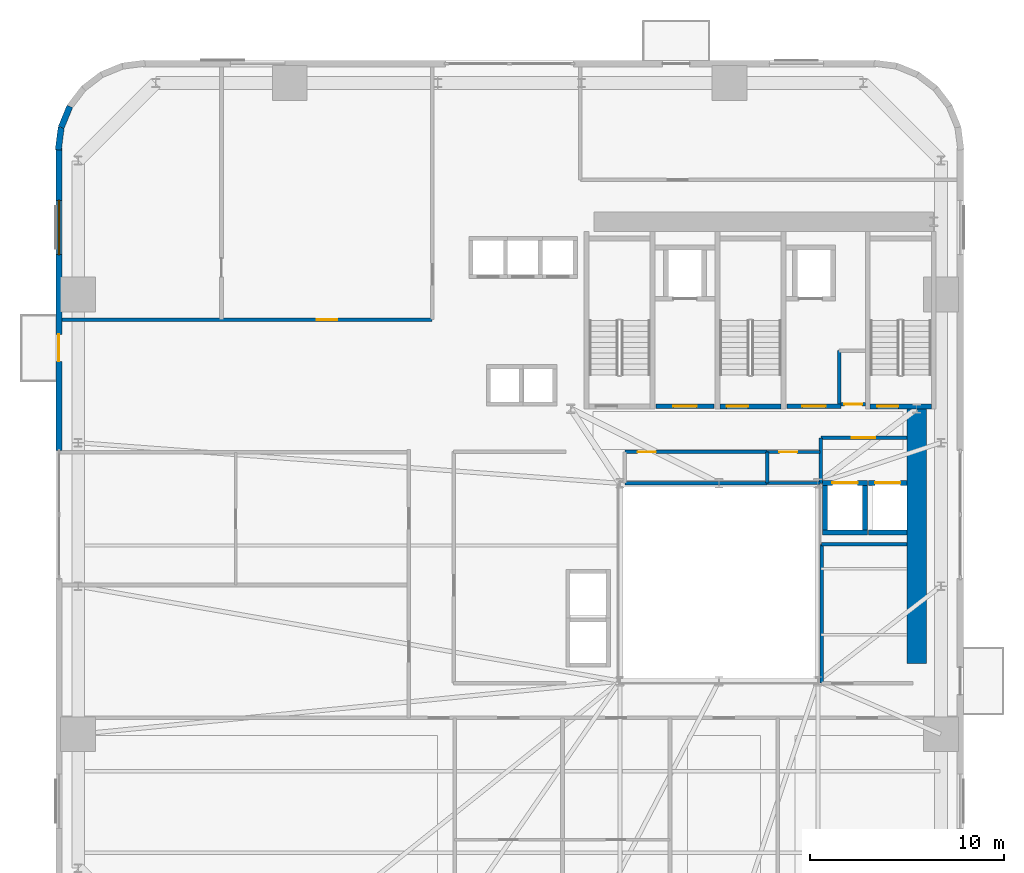
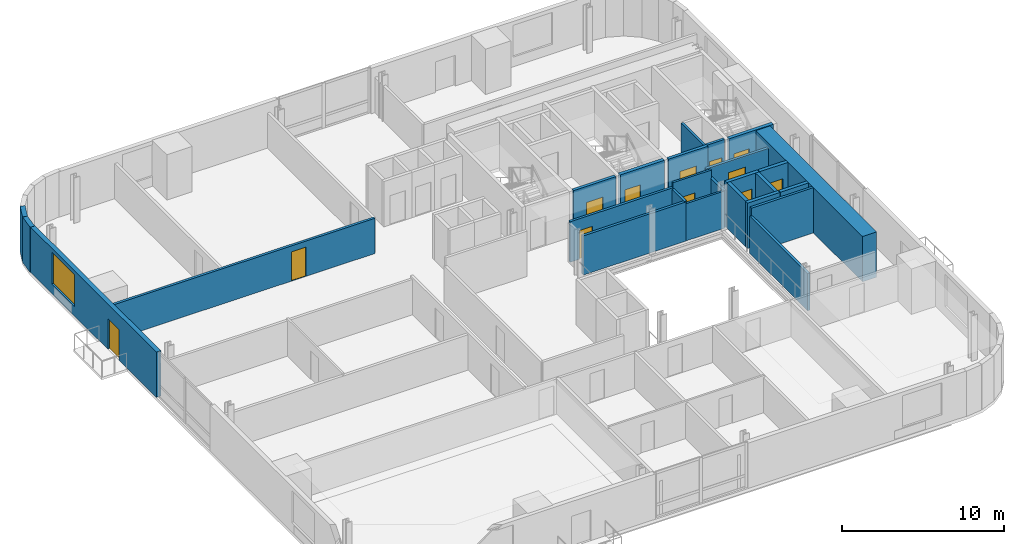
# One storey, part 7 of 13: 26 walls, 12 doors, 1 window, 13 openings.
"""IFC4 building model written with IfcOpenShell, lengths in metres."""

from ifc_helpers import new_model, si_unit, direction, frame, frame_2d, origin, place, context, subcontext, project, spatial, rectangle, extrude, source, transform, mapped, material, layer, layer_set, type_object, element, fill, save


model = new_model("IFC4")

# Units and contexts
model_context = context("Model", 3, precision=1e-05, world=origin(), true_north=direction((0.0, 1.0)))
body_context = subcontext(model_context, "Body", "Model", "MODEL_VIEW")
ifc_project = project(units=[si_unit("LENGTHUNIT", "METRE"), si_unit("AREAUNIT", "SQUARE_METRE"), si_unit("VOLUMEUNIT", "CUBIC_METRE"), si_unit("PLANEANGLEUNIT", "RADIAN"), si_unit("MASSUNIT", "GRAM", prefix="KILO")], contexts=[model_context])

# Site, building, storey
site_placement = place(None, origin())
site = spatial("IfcSite", under=ifc_project, at=site_placement, CompositionType="ELEMENT")
building_placement = place(site_placement, origin())
building = spatial("IfcBuilding", under=site, at=building_placement, Name="Vardaveli Station Tower", CompositionType="ELEMENT")
storey_placement = place(building_placement, frame((0.0, 0.0, 71.39990234375)))
storey = spatial("IfcBuildingStorey", under=building, at=storey_placement, Name="L18", CompositionType="ELEMENT", Elevation=71.39990234375)

# Wall
ifc_material_1 = material(Name="Concrete C60/75", Category="concrete")
ifc_layer_1 = layer(ifc_material_1, 1.0, Name="Concrete C60/75")
ifc_layer_set_1 = layer_set([ifc_layer_1], Name="Concrete C60/75")
wall_type_1 = type_object("IfcWallType", Name="WAL-CORE-1000", PredefinedType="SHEAR", material=ifc_layer_set_1)
shared_shape_1 = source(origin(), body_context, "Body", "SweptSolid", [
    extrude(rectangle(XDim=13.14990234375, YDim=1.0, at=frame_2d((6.574951171875, 0.0))), origin(), (0.0, 0.0, 1.0), 3.41015625),
])
wall_1_placement = place(storey_placement, frame((46.5, 17.5, 0.0), z_axis=(0.0, 0.0, 1.0), x_axis=(0.0, 1.0, 0.0)))
element("IfcWall", 1, at=wall_1_placement, inside=storey, type_object=wall_type_1, Name="SW-L18-EAST2", PredefinedType="SHEAR", context=body_context, shape_type="MappedRepresentation", body=[
    mapped(shared_shape_1, transform((0.0, 0.0, 0.0), scale=1.0)),
])

# Wall, openings, door, window
ifc_material_2 = material(Name="Precast concrete C45/55", Category="concrete")
ifc_layer_2 = layer(ifc_material_2, 0.320068359375, Name="Precast concrete C45/55")
ifc_layer_set_2 = layer_set([ifc_layer_2], Name="Precast concrete C45/55")
wall_type_2 = type_object("IfcWallType", Name="WAL-EXT-STONE-320", PredefinedType="SOLIDWALL", material=ifc_layer_set_2)
shared_shape_2 = source(origin(), body_context, "Body", "SweptSolid", [
    extrude(rectangle(XDim=15.60009765625, YDim=0.320068359375, at=frame_2d((7.800048828125, 0.0))), origin(), (0.0, 0.0, 1.0), 3.41015625),
])
wall_2_placement = place(storey_placement, frame((2.260009765625, 44.10009765625, 0.0), z_axis=(0.0, 0.0, 1.0), x_axis=(0.0, -1.0, 0.0)))
wall_2 = element("IfcWall", 2, at=wall_2_placement, inside=storey, type_object=wall_type_2, Name="EW-L18-W1", PredefinedType="SOLIDWALL", context=body_context, shape_type="MappedRepresentation", body=[
    mapped(shared_shape_2, transform((0.0, 0.0, 0.0), scale=1.0)),
])
shared_shape_3 = source(origin(), body_context, "Body", "SweptSolid", [
    extrude(rectangle(XDim=1.39990234375, YDim=2.300048828125, at=frame_2d((0.699951171875, 1.14990234375))), frame((0.0, 0.169921875, 0.0), z_axis=(0.0, -1.0, 0.0), x_axis=(1.0, 0.0, 0.0)), (0.0, 0.0, 1.0), 0.340087890625),
])
opening_1_placement = place(wall_2_placement, frame((9.6103515625, 0.0, 0.0)))
opening_1 = element("IfcOpeningElement", 3, at=opening_1_placement, cuts=wall_2, Name="Opening D-09", PredefinedType="OPENING", context=body_context, shape_type="MappedRepresentation", body=[
    mapped(shared_shape_3, transform((0.0, 0.0, 0.0), scale=1.0)),
])
shared_shape_4 = source(origin(), body_context, "Body", "SweptSolid", [
    extrude(rectangle(XDim=2.800048828125, YDim=2.39990234375, at=frame_2d((1.39990234375, 1.199951171875))), frame((0.0, 0.169921875, 0.0), z_axis=(0.0, -1.0, 0.0), x_axis=(1.0, 0.0, 0.0)), (0.0, 0.0, 1.0), 0.340087890625),
])
opening_2_placement = place(wall_2_placement, frame((2.705078125, 0.0, 0.719970703125)))
opening_2 = element("IfcOpeningElement", 4, at=opening_2_placement, cuts=wall_2, Name="Opening W-04", PredefinedType="OPENING", context=body_context, shape_type="MappedRepresentation", body=[
    mapped(shared_shape_4, transform((0.0, 0.0, 0.0), scale=1.0)),
])
ifc_material_3 = material(Name="Thermally broken aluminium glass", Category="aluminium")
door_type_1 = type_object("IfcDoorType", Name="DR-LOG-1400x2300", OperationType="DOUBLE_DOOR_SLIDING", PredefinedType="DOOR", material=ifc_material_3)
shared_shape_5 = source(origin(), body_context, "Body", "SweptSolid", [
    extrude(rectangle(XDim=1.39990234375, YDim=2.300048828125, at=frame_2d((0.699951171875, 1.14990234375))), frame((0.0, 0.02490234375, 0.0), z_axis=(0.0, -1.0, 0.0), x_axis=(1.0, 0.0, 0.0)), (0.0, 0.0, 1.0), 0.050048828125),
])
door_1_placement = place(opening_1_placement, frame((1.39990234375, 0.0, 0.0), z_axis=(0.0, 0.0, 1.0), x_axis=(-1.0, 0.0, 0.0)))
door_1 = element("IfcDoor", 5, at=door_1_placement, inside=storey, type_object=door_type_1, Name="DLG-L18-W", OperationType="DOUBLE_DOOR_SLIDING", OverallHeight=2.300048828125, OverallWidth=1.39990234375, PredefinedType="DOOR", context=body_context, shape_type="MappedRepresentation", body=[
    mapped(shared_shape_5, transform((0.0, 0.0, 0.0), scale=1.0)),
])
fill(opening_1, door_1)
ifc_material_4 = material(Name="Low-E solar-control glass", Category="glass")
window_type = type_object("IfcWindowType", Name="WIN-SUITE-2800x2400", PartitioningType="SINGLE_PANEL", PredefinedType="WINDOW", material=ifc_material_4)
shared_shape_6 = source(origin(), body_context, "Body", "SweptSolid", [
    extrude(rectangle(XDim=2.800048828125, YDim=2.39990234375, at=frame_2d((1.39990234375, 1.199951171875))), frame((0.0, 0.030029296875, 0.0), z_axis=(0.0, -1.0, 0.0), x_axis=(1.0, 0.0, 0.0)), (0.0, 0.0, 1.0), 0.06005859375),
])
window_placement = place(opening_2_placement, origin())
window = element("IfcWindow", 6, at=window_placement, inside=storey, type_object=window_type, Name="WN-L18-W1", OverallHeight=2.39990234375, OverallWidth=2.800048828125, PartitioningType="SINGLE_PANEL", PredefinedType="WINDOW", context=body_context, shape_type="MappedRepresentation", body=[
    mapped(shared_shape_6, transform((0.0, 0.0, 0.0), scale=1.0)),
])
fill(opening_2, window)

# Walls
shared_shape_7 = source(origin(), body_context, "Body", "SweptSolid", [
    extrude(rectangle(XDim=1.17041015625, YDim=0.320068359375, at=frame_2d((0.585205078125, 0.0))), origin(), (0.0, 0.0, 1.0), 3.41015625),
])
wall_3_placement = place(storey_placement, frame((2.37451171875, 45.16015625, 0.0), z_axis=(0.0, 0.0, 1.0), x_axis=(-0.128295670475, -0.991735963317, 0.0)))
element("IfcWall", 7, at=wall_3_placement, inside=storey, type_object=wall_type_2, Name="EW-L18-CR4-6", PredefinedType="SOLIDWALL", context=body_context, shape_type="MappedRepresentation", body=[
    mapped(shared_shape_7, transform((0.0, 0.0, 0.0), scale=1.0)),
])
shared_shape_8 = source(origin(), body_context, "Body", "SweptSolid", [
    extrude(rectangle(XDim=1.169189453125, YDim=0.320068359375, at=frame_2d((0.58447265625, 0.0))), origin(), (0.0, 0.0, 1.0), 3.41015625),
])
wall_4_placement = place(storey_placement, frame((2.820068359375, 46.2412109375, 0.0), z_axis=(0.0, 0.0, 1.0), x_axis=(-0.381054331552, -0.924552646638, 0.0)))
element("IfcWall", 8, at=wall_4_placement, inside=storey, type_object=wall_type_2, Name="EW-L18-CR4-5", PredefinedType="SOLIDWALL", context=body_context, shape_type="MappedRepresentation", body=[
    mapped(shared_shape_8, transform((0.0, 0.0, 0.0), scale=1.0)),
])

# Wall, opening, door
ifc_material_5 = material(Name="Concrete C40/50", Category="concrete")
ifc_layer_3 = layer(ifc_material_5, 0.25, Name="Concrete C40/50")
ifc_layer_set_3 = layer_set([ifc_layer_3], Name="Concrete C40/50")
wall_type_3 = type_object("IfcWallType", Name="WAL-SHAFT-250", PredefinedType="SOLIDWALL", material=ifc_layer_set_3)
shared_shape_9 = source(origin(), body_context, "Body", "SweptSolid", [
    extrude(rectangle(XDim=3.14990234375, YDim=0.25, at=frame_2d((1.574951171875, 0.0))), origin(), (0.0, 0.0, 1.0), 3.4501953125),
])
wall_5_placement = place(storey_placement, frame((36.35009765625, 30.77490234375, 0.0), z_axis=(0.0, 0.0, 1.0), x_axis=(1.0, 0.0, 0.0)))
wall_5 = element("IfcWall", 9, at=wall_5_placement, inside=storey, type_object=wall_type_3, Name="W-L18-ST-2S", PredefinedType="SOLIDWALL", context=body_context, shape_type="MappedRepresentation", body=[
    mapped(shared_shape_9, transform((0.0, 0.0, 0.0), scale=1.0)),
])
shared_shape_10 = source(origin(), body_context, "Body", "SweptSolid", [
    extrude(rectangle(XDim=1.10009765625, YDim=2.199951171875, at=frame_2d((0.550048828125, 1.10009765625))), frame((0.0, 0.135009765625, 0.0), z_axis=(0.0, -1.0, 0.0), x_axis=(1.0, 0.0, 0.0)), (0.0, 0.0, 1.0), 0.27001953125),
])
opening_3_placement = place(wall_5_placement, frame((0.35009765625, 0.0, 0.0)))
opening_3 = element("IfcOpeningElement", 10, at=opening_3_placement, cuts=wall_5, Name="Opening D-04", PredefinedType="OPENING", context=body_context, shape_type="MappedRepresentation", body=[
    mapped(shared_shape_10, transform((0.0, 0.0, 0.0), scale=1.0)),
])
ifc_material_6 = material(Name="Steel smokeproof fire doorset", Category="steel")
door_type_2 = type_object("IfcDoorType", Name="DR-ST-1100x2200", OperationType="NOTDEFINED", PredefinedType="DOOR", material=ifc_material_6)
shared_shape_11 = source(origin(), body_context, "Body", "SweptSolid", [
    extrude(rectangle(XDim=1.10009765625, YDim=2.199951171875, at=frame_2d((0.550048828125, 1.10009765625))), frame((0.0, 0.02490234375, 0.0), z_axis=(0.0, -1.0, 0.0), x_axis=(1.0, 0.0, 0.0)), (0.0, 0.0, 1.0), 0.050048828125),
])
door_2_placement = place(opening_3_placement, origin())
door_2 = element("IfcDoor", 11, at=door_2_placement, inside=storey, type_object=door_type_2, Name="DST-2-L18", OperationType="SINGLE_SWING_LEFT", OverallHeight=2.199951171875, OverallWidth=1.10009765625, PredefinedType="DOOR", context=body_context, shape_type="MappedRepresentation", body=[
    mapped(shared_shape_11, transform((0.0, 0.0, 0.0), scale=1.0)),
])
fill(opening_3, door_2)

wall_6_placement = place(storey_placement, frame((44.10009765625, 30.77490234375, 0.0), z_axis=(0.0, 0.0, 1.0), x_axis=(1.0, 0.0, 0.0)))
wall_6 = element("IfcWall", 12, at=wall_6_placement, inside=storey, type_object=wall_type_3, Name="W-L18-ST-3S", PredefinedType="SOLIDWALL", context=body_context, shape_type="MappedRepresentation", body=[
    mapped(shared_shape_9, transform((0.0, 0.0, 0.0), scale=1.0)),
])
opening_4_placement = place(wall_6_placement, frame((0.35009765625, 0.0, 0.0)))
opening_4 = element("IfcOpeningElement", 13, at=opening_4_placement, cuts=wall_6, Name="Opening D-04", PredefinedType="OPENING", context=body_context, shape_type="MappedRepresentation", body=[
    mapped(shared_shape_10, transform((0.0, 0.0, 0.0), scale=1.0)),
])
door_3_placement = place(opening_4_placement, origin())
door_3 = element("IfcDoor", 14, at=door_3_placement, inside=storey, type_object=door_type_2, Name="DST-3-L18", OperationType="SINGLE_SWING_LEFT", OverallHeight=2.199951171875, OverallWidth=1.10009765625, PredefinedType="DOOR", context=body_context, shape_type="MappedRepresentation", body=[
    mapped(shared_shape_11, transform((0.0, 0.0, 0.0), scale=1.0)),
])
fill(opening_4, door_3)

ifc_layer_4 = layer(ifc_material_5, 0.219970703125, Name="Concrete C40/50")
ifc_layer_set_4 = layer_set([ifc_layer_4], Name="Concrete C40/50")
wall_type_4 = type_object("IfcWallType", Name="WAL-FFLOBBY-220", PredefinedType="SOLIDWALL", material=ifc_layer_set_4)
shared_shape_12 = source(origin(), body_context, "Body", "SweptSolid", [
    extrude(rectangle(XDim=3.0, YDim=0.219970703125, at=frame_2d((1.5, 0.0))), origin(), (0.0, 0.0, 1.0), 3.41015625),
])
wall_7_placement = place(storey_placement, frame((33.050048828125, 30.780029296875, 0.0), z_axis=(0.0, 0.0, 1.0), x_axis=(1.0, 0.0, 0.0)))
wall_7 = element("IfcWall", 15, at=wall_7_placement, inside=storey, type_object=wall_type_4, Name="W-L18-FFL1S", PredefinedType="SOLIDWALL", context=body_context, shape_type="MappedRepresentation", body=[
    mapped(shared_shape_12, transform((0.0, 0.0, 0.0), scale=1.0)),
])
shared_shape_13 = source(origin(), body_context, "Body", "SweptSolid", [
    extrude(rectangle(XDim=1.199951171875, YDim=2.199951171875, at=frame_2d((0.60009765625, 1.10009765625))), frame((0.0, 0.1201171875, 0.0), z_axis=(0.0, -1.0, 0.0), x_axis=(1.0, 0.0, 0.0)), (0.0, 0.0, 1.0), 0.239990234375),
])
opening_5_placement = place(wall_7_placement, frame((0.89990234375, 0.0, 0.0)))
opening_5 = element("IfcOpeningElement", 16, at=opening_5_placement, cuts=wall_7, Name="Opening D-03", PredefinedType="OPENING", context=body_context, shape_type="MappedRepresentation", body=[
    mapped(shared_shape_13, transform((0.0, 0.0, 0.0), scale=1.0)),
])
door_type_3 = type_object("IfcDoorType", Name="DR-FFL-1200x2200", OperationType="NOTDEFINED", PredefinedType="DOOR", material=ifc_material_6)
shared_shape_14 = source(origin(), body_context, "Body", "SweptSolid", [
    extrude(rectangle(XDim=1.199951171875, YDim=2.199951171875, at=frame_2d((0.60009765625, 1.10009765625))), frame((0.0, 0.02490234375, 0.0), z_axis=(0.0, -1.0, 0.0), x_axis=(1.0, 0.0, 0.0)), (0.0, 0.0, 1.0), 0.050048828125),
])
door_4_placement = place(opening_5_placement, origin())
door_4 = element("IfcDoor", 17, at=door_4_placement, inside=storey, type_object=door_type_3, Name="DFFL1-L18", OperationType="SINGLE_SWING_LEFT", OverallHeight=2.199951171875, OverallWidth=1.199951171875, PredefinedType="DOOR", context=body_context, shape_type="MappedRepresentation", body=[
    mapped(shared_shape_14, transform((0.0, 0.0, 0.0), scale=1.0)),
])
fill(opening_5, door_4)

shared_shape_15 = source(origin(), body_context, "Body", "SweptSolid", [
    extrude(rectangle(XDim=2.800048828125, YDim=0.219970703125, at=frame_2d((1.39990234375, 0.0))), origin(), (0.0, 0.0, 1.0), 3.41015625),
])
wall_8_placement = place(storey_placement, frame((39.800048828125, 30.780029296875, 0.0), z_axis=(0.0, 0.0, 1.0), x_axis=(1.0, 0.0, 0.0)))
wall_8 = element("IfcWall", 18, at=wall_8_placement, inside=storey, type_object=wall_type_4, Name="W-L18-FFL2S", PredefinedType="SOLIDWALL", context=body_context, shape_type="MappedRepresentation", body=[
    mapped(shared_shape_15, transform((0.0, 0.0, 0.0), scale=1.0)),
])
opening_6_placement = place(wall_8_placement, frame((0.800048828125, 0.0, 0.0)))
opening_6 = element("IfcOpeningElement", 19, at=opening_6_placement, cuts=wall_8, Name="Opening D-03", PredefinedType="OPENING", context=body_context, shape_type="MappedRepresentation", body=[
    mapped(shared_shape_13, transform((0.0, 0.0, 0.0), scale=1.0)),
])
door_5_placement = place(opening_6_placement, origin())
door_5 = element("IfcDoor", 20, at=door_5_placement, inside=storey, type_object=door_type_3, Name="DFFL2-L18", OperationType="SINGLE_SWING_RIGHT", OverallHeight=2.199951171875, OverallWidth=1.199951171875, PredefinedType="DOOR", context=body_context, shape_type="MappedRepresentation", body=[
    mapped(shared_shape_14, transform((0.0, 0.0, 0.0), scale=1.0)),
])
fill(opening_6, door_5)

# Wall
shared_shape_16 = source(origin(), body_context, "Body", "SweptSolid", [
    extrude(rectangle(XDim=2.300048828125, YDim=0.25, at=frame_2d((1.14990234375, 0.0))), origin(), (0.0, 0.0, 1.0), 3.41015625),
])
wall_9_placement = place(storey_placement, frame((41.64990234375, 24.27490234375, 0.0), z_axis=(0.0, 0.0, 1.0), x_axis=(1.0, 0.0, 0.0)))
element("IfcWall", 21, at=wall_9_placement, inside=storey, type_object=wall_type_3, Name="SHW-SRV-01-L18-S", PredefinedType="SOLIDWALL", context=body_context, shape_type="MappedRepresentation", body=[
    mapped(shared_shape_16, transform((0.0, 0.0, 0.0), scale=1.0)),
])

# Wall, opening, door
wall_10_placement = place(storey_placement, frame((41.64990234375, 26.824951171875, 0.0), z_axis=(0.0, 0.0, 1.0), x_axis=(1.0, 0.0, 0.0)))
wall_10 = element("IfcWall", 22, at=wall_10_placement, inside=storey, type_object=wall_type_3, Name="SHW-SRV-01-L18-N", PredefinedType="SOLIDWALL", context=body_context, shape_type="MappedRepresentation", body=[
    mapped(shared_shape_16, transform((0.0, 0.0, 0.0), scale=1.0)),
])
shared_shape_17 = source(origin(), body_context, "Body", "SweptSolid", [
    extrude(rectangle(XDim=1.300048828125, YDim=2.300048828125, at=frame_2d((0.64990234375, 1.14990234375))), frame((0.0, 0.135009765625, 0.0), z_axis=(0.0, -1.0, 0.0), x_axis=(1.0, 0.0, 0.0)), (0.0, 0.0, 1.0), 0.27001953125),
])
opening_7_placement = place(wall_10_placement, frame((0.5, 0.0, 0.0)))
opening_7 = element("IfcOpeningElement", 23, at=opening_7_placement, cuts=wall_10, Name="Opening LD-03", PredefinedType="OPENING", context=body_context, shape_type="MappedRepresentation", body=[
    mapped(shared_shape_17, transform((0.0, 0.0, 0.0), scale=1.0)),
])
ifc_material_7 = material(Name="Brushed stainless steel", Category="steel")
door_type_4 = type_object("IfcDoorType", Name="DR-LD-1300x2300", OperationType="DOUBLE_DOOR_SLIDING", PredefinedType="DOOR", material=ifc_material_7)
shared_shape_18 = source(origin(), body_context, "Body", "SweptSolid", [
    extrude(rectangle(XDim=1.300048828125, YDim=2.300048828125, at=frame_2d((0.64990234375, 1.14990234375))), frame((0.0, 0.02490234375, 0.0), z_axis=(0.0, -1.0, 0.0), x_axis=(1.0, 0.0, 0.0)), (0.0, 0.0, 1.0), 0.050048828125),
])
door_6_placement = place(opening_7_placement, origin())
door_6 = element("IfcDoor", 24, at=door_6_placement, inside=storey, type_object=door_type_4, Name="LD-SRV-01-L18", OperationType="DOUBLE_DOOR_SLIDING", OverallHeight=2.300048828125, OverallWidth=1.300048828125, PredefinedType="DOOR", context=body_context, shape_type="MappedRepresentation", body=[
    mapped(shared_shape_18, transform((0.0, 0.0, 0.0), scale=1.0)),
])
fill(opening_7, door_6)

# Walls
for number, where, z_axis, x_axis, name in (
    (25, (41.77490234375, 24.39990234375, 0.0), (0.0, 0.0, 1.0), (0.0, 1.0, 0.0), "SHW-SRV-01-L18-W"),
    (26, (43.824951171875, 24.39990234375, 0.0), (0.0, 0.0, 1.0), (0.0, 1.0, 0.0), "SHW-SRV-01-L18-E"),
):
    element("IfcWall", number, at=place(storey_placement, frame(where, z_axis=z_axis, x_axis=x_axis)), inside=storey, type_object=wall_type_3, Name=name, PredefinedType="SOLIDWALL", context=body_context, shape_type="MappedRepresentation", body=[
        mapped(shared_shape_16, transform((0.0, 0.0, 0.0), scale=1.0)),
    ])
shared_shape_19 = source(origin(), body_context, "Body", "SweptSolid", [
    extrude(rectangle(XDim=2.0, YDim=0.25, at=frame_2d((1.0, 0.0))), origin(), (0.0, 0.0, 1.0), 3.41015625),
])
wall_11_placement = place(storey_placement, frame((44.0, 24.27490234375, 0.0), z_axis=(0.0, 0.0, 1.0), x_axis=(1.0, 0.0, 0.0)))
element("IfcWall", 27, at=wall_11_placement, inside=storey, type_object=wall_type_3, Name="SHW-SRV-02-L18-S", PredefinedType="SOLIDWALL", context=body_context, shape_type="MappedRepresentation", body=[
    mapped(shared_shape_19, transform((0.0, 0.0, 0.0), scale=1.0)),
])

# Wall, opening, door
wall_12_placement = place(storey_placement, frame((44.0, 26.824951171875, 0.0), z_axis=(0.0, 0.0, 1.0), x_axis=(1.0, 0.0, 0.0)))
wall_12 = element("IfcWall", 28, at=wall_12_placement, inside=storey, type_object=wall_type_3, Name="SHW-SRV-02-L18-N", PredefinedType="SOLIDWALL", context=body_context, shape_type="MappedRepresentation", body=[
    mapped(shared_shape_19, transform((0.0, 0.0, 0.0), scale=1.0)),
])
opening_8_placement = place(wall_12_placement, frame((0.35009765625, 0.0, 0.0)))
opening_8 = element("IfcOpeningElement", 29, at=opening_8_placement, cuts=wall_12, Name="Opening LD-03", PredefinedType="OPENING", context=body_context, shape_type="MappedRepresentation", body=[
    mapped(shared_shape_17, transform((0.0, 0.0, 0.0), scale=1.0)),
])
door_7_placement = place(opening_8_placement, origin())
door_7 = element("IfcDoor", 30, at=door_7_placement, inside=storey, type_object=door_type_4, Name="LD-SRV-02-L18", OperationType="DOUBLE_DOOR_SLIDING", OverallHeight=2.300048828125, OverallWidth=1.300048828125, PredefinedType="DOOR", context=body_context, shape_type="MappedRepresentation", body=[
    mapped(shared_shape_18, transform((0.0, 0.0, 0.0), scale=1.0)),
])
fill(opening_8, door_7)

ifc_material_8 = material(Name="Fire-rated gypsum stud partition")
ifc_layer_5 = layer(ifc_material_8, 0.179931640625, Name="Fire-rated gypsum stud partition")
ifc_layer_set_5 = layer_set([ifc_layer_5], Name="Fire-rated gypsum stud partition")
wall_type_5 = type_object("IfcWallType", Name="WAL-CORR-180", PredefinedType="PARTITIONING", material=ifc_layer_set_5)
shared_shape_20 = source(origin(), body_context, "Body", "SweptSolid", [
    extrude(rectangle(XDim=7.330078125, YDim=0.179931640625, at=frame_2d((3.6650390625, 0.0))), origin(), (0.0, 0.0, 1.0), 3.0419921875),
])
wall_13_placement = place(storey_placement, frame((31.449951171875, 28.419921875, 0.0), z_axis=(0.0, 0.0, 1.0), x_axis=(1.0, 0.0, 0.0)))
wall_13 = element("IfcWall", 31, at=wall_13_placement, inside=storey, type_object=wall_type_5, Name="W-L18-HKP0-N", PredefinedType="PARTITIONING", context=body_context, shape_type="MappedRepresentation", body=[
    mapped(shared_shape_20, transform((0.0, 0.0, 0.0), scale=1.0)),
])
shared_shape_21 = source(origin(), body_context, "Body", "SweptSolid", [
    extrude(rectangle(XDim=0.949951171875, YDim=2.14990234375, at=frame_2d((0.47509765625, 1.074951171875))), frame((0.0, 0.10009765625, 0.0), z_axis=(0.0, -1.0, 0.0), x_axis=(1.0, 0.0, 0.0)), (0.0, 0.0, 1.0), 0.199951171875),
])
opening_9_placement = place(wall_13_placement, frame((0.64990234375, 0.0, 0.0)))
opening_9 = element("IfcOpeningElement", 32, at=opening_9_placement, cuts=wall_13, Name="Opening D-06", PredefinedType="OPENING", context=body_context, shape_type="MappedRepresentation", body=[
    mapped(shared_shape_21, transform((0.0, 0.0, 0.0), scale=1.0)),
])
ifc_material_9 = material(Name="Oak veneer acoustic fire door")
door_type_5 = type_object("IfcDoorType", Name="DR-GUEST-950x2150", OperationType="NOTDEFINED", PredefinedType="DOOR", material=ifc_material_9)
shared_shape_22 = source(origin(), body_context, "Body", "SweptSolid", [
    extrude(rectangle(XDim=0.949951171875, YDim=2.14990234375, at=frame_2d((0.47509765625, 1.074951171875))), frame((0.0, 0.02490234375, 0.0), z_axis=(0.0, -1.0, 0.0), x_axis=(1.0, 0.0, 0.0)), (0.0, 0.0, 1.0), 0.050048828125),
])
door_8_placement = place(opening_9_placement, origin())
door_8 = element("IfcDoor", 33, at=door_8_placement, inside=storey, type_object=door_type_5, Name="D-L18-HKP", OperationType="SINGLE_SWING_RIGHT", OverallHeight=2.14990234375, OverallWidth=0.949951171875, PredefinedType="DOOR", context=body_context, shape_type="MappedRepresentation", body=[
    mapped(shared_shape_22, transform((0.0, 0.0, 0.0), scale=1.0)),
])
fill(opening_9, door_8)

shared_shape_23 = source(origin(), body_context, "Body", "SweptSolid", [
    extrude(rectangle(XDim=4.447998046875, YDim=0.179931640625, at=frame_2d((2.22412109375, 0.0))), origin(), (0.0, 0.0, 1.0), 3.0419921875),
])
wall_14_placement = place(storey_placement, frame((41.550048828125, 29.14990234375, 0.0), z_axis=(0.0, 0.0, 1.0), x_axis=(1.0, 0.0, 0.0)))
wall_14 = element("IfcWall", 34, at=wall_14_placement, inside=storey, type_object=wall_type_5, Name="W-L18-SVFN", PredefinedType="PARTITIONING", context=body_context, shape_type="MappedRepresentation", body=[
    mapped(shared_shape_23, transform((0.0, 0.0, 0.0), scale=1.0)),
])
shared_shape_24 = source(origin(), body_context, "Body", "SweptSolid", [
    extrude(rectangle(XDim=1.199951171875, YDim=2.199951171875, at=frame_2d((0.60009765625, 1.10009765625))), frame((0.0, 0.10009765625, 0.0), z_axis=(0.0, -1.0, 0.0), x_axis=(1.0, 0.0, 0.0)), (0.0, 0.0, 1.0), 0.199951171875),
])
opening_10_placement = place(wall_14_placement, frame((1.60009765625, 0.0, 0.0)))
opening_10 = element("IfcOpeningElement", 35, at=opening_10_placement, cuts=wall_14, Name="Opening D-03", PredefinedType="OPENING", context=body_context, shape_type="MappedRepresentation", body=[
    mapped(shared_shape_24, transform((0.0, 0.0, 0.0), scale=1.0)),
])
door_9_placement = place(opening_10_placement, origin())
door_9 = element("IfcDoor", 36, at=door_9_placement, inside=storey, type_object=door_type_3, Name="D-L18-SVF", OperationType="SINGLE_SWING_RIGHT", OverallHeight=2.199951171875, OverallWidth=1.199951171875, PredefinedType="DOOR", context=body_context, shape_type="MappedRepresentation", body=[
    mapped(shared_shape_14, transform((0.0, 0.0, 0.0), scale=1.0)),
])
fill(opening_10, door_9)

# Walls
shared_shape_25 = source(origin(), body_context, "Body", "SweptSolid", [
    extrude(rectangle(XDim=7.14990234375, YDim=0.179931640625, at=frame_2d((3.574951171875, 0.0))), origin(), (0.0, 0.0, 1.0), 2.802001953125),
])
wall_15_placement = place(storey_placement, frame((41.60009765625, 16.5, 0.0), z_axis=(0.0, 0.0, 1.0), x_axis=(0.0, 1.0, 0.0)))
element("IfcWall", 37, at=wall_15_placement, inside=storey, type_object=wall_type_5, Name="W-L18-ATE-W", PredefinedType="PARTITIONING", context=body_context, shape_type="MappedRepresentation", body=[
    mapped(shared_shape_25, transform((0.0, 0.0, 0.0), scale=1.0)),
])
ifc_material_10 = material(Name="Moisture-resistant stud partition")
ifc_layer_6 = layer(ifc_material_10, 0.14990234375, Name="Moisture-resistant stud partition")
ifc_layer_set_6 = layer_set([ifc_layer_6], Name="Moisture-resistant stud partition")
wall_type_6 = type_object("IfcWallType", Name="WAL-WET-150", PredefinedType="PARTITIONING", material=ifc_layer_set_6)
shared_shape_26 = source(origin(), body_context, "Body", "SweptSolid", [
    extrude(rectangle(XDim=2.739990234375, YDim=0.14990234375, at=frame_2d((1.3701171875, 0.0))), origin(), (0.0, 0.0, 1.0), 2.802001953125),
])
wall_16_placement = place(storey_placement, frame((38.780029296875, 26.820068359375, 0.0), z_axis=(0.0, 0.0, 1.0), x_axis=(1.0, 0.0, 0.0)))
element("IfcWall", 38, at=wall_16_placement, inside=storey, type_object=wall_type_6, Name="W-L18-WCA0-S", PredefinedType="PARTITIONING", context=body_context, shape_type="MappedRepresentation", body=[
    mapped(shared_shape_26, transform((0.0, 0.0, 0.0), scale=1.0)),
])
shared_shape_27 = source(origin(), body_context, "Body", "SweptSolid", [
    extrude(rectangle(XDim=2.349853515625, YDim=0.179931640625, at=frame_2d((1.1748046875, 0.0))), origin(), (0.0, 0.0, 1.0), 2.802001953125),
])
wall_17_placement = place(storey_placement, frame((41.550048828125, 26.800048828125, 0.0), z_axis=(0.0, 0.0, 1.0), x_axis=(0.0, 1.0, 0.0)))
element("IfcWall", 39, at=wall_17_placement, inside=storey, type_object=wall_type_5, Name="W-L18-SVFW", PredefinedType="PARTITIONING", context=body_context, shape_type="MappedRepresentation", body=[
    mapped(shared_shape_27, transform((0.0, 0.0, 0.0), scale=1.0)),
])

# Wall, opening, door
shared_shape_28 = source(origin(), body_context, "Body", "SweptSolid", [
    extrude(rectangle(XDim=19.077880859375, YDim=0.179931640625, at=frame_2d((9.5390625, 0.0))), origin(), (0.0, 0.0, 1.0), 2.652099609375),
])
wall_18_placement = place(storey_placement, frame((2.422119140625, 35.25, 0.0), z_axis=(0.0, 0.0, 1.0), x_axis=(1.0, 0.0, 0.0)))
wall_18 = element("IfcWall", 40, at=wall_18_placement, inside=storey, type_object=wall_type_5, Name="W-L18-CNWS", PredefinedType="PARTITIONING", context=body_context, shape_type="MappedRepresentation", body=[
    mapped(shared_shape_28, transform((0.0, 0.0, 0.0), scale=1.0)),
])
shared_shape_29 = source(origin(), body_context, "Body", "SweptSolid", [
    extrude(rectangle(XDim=1.050048828125, YDim=2.199951171875, at=frame_2d((0.52490234375, 1.10009765625))), frame((0.0, 0.10009765625, 0.0), z_axis=(0.0, -1.0, 0.0), x_axis=(1.0, 0.0, 0.0)), (0.0, 0.0, 1.0), 0.199951171875),
])
opening_11_placement = place(wall_18_placement, frame((13.12890625, 0.0, 0.0)))
opening_11 = element("IfcOpeningElement", 41, at=opening_11_placement, cuts=wall_18, Name="Opening D-05", PredefinedType="OPENING", context=body_context, shape_type="MappedRepresentation", body=[
    mapped(shared_shape_29, transform((0.0, 0.0, 0.0), scale=1.0)),
])
ifc_material_11 = material(Name="Walnut veneer acoustic fire door")
door_type_6 = type_object("IfcDoorType", Name="DR-SUITE-1050x2200", OperationType="NOTDEFINED", PredefinedType="DOOR", material=ifc_material_11)
shared_shape_30 = source(origin(), body_context, "Body", "SweptSolid", [
    extrude(rectangle(XDim=1.050048828125, YDim=2.199951171875, at=frame_2d((0.52490234375, 1.10009765625))), frame((0.0, 0.02490234375, 0.0), z_axis=(0.0, -1.0, 0.0), x_axis=(1.0, 0.0, 0.0)), (0.0, 0.0, 1.0), 0.050048828125),
])
door_10_placement = place(opening_11_placement, origin())
door_10 = element("IfcDoor", 42, at=door_10_placement, inside=storey, type_object=door_type_6, Name="D-L18-GNW2", OperationType="SINGLE_SWING_RIGHT", OverallHeight=2.199951171875, OverallWidth=1.050048828125, PredefinedType="DOOR", context=body_context, shape_type="MappedRepresentation", body=[
    mapped(shared_shape_30, transform((0.0, 0.0, 0.0), scale=1.0)),
])
fill(opening_11, door_10)

shared_shape_31 = source(origin(), body_context, "Body", "SweptSolid", [
    extrude(rectangle(XDim=1.247802734375, YDim=0.179931640625, at=frame_2d((0.6240234375, 0.0))), origin(), (0.0, 0.0, 1.0), 3.41015625),
])
wall_19_placement = place(storey_placement, frame((42.60009765625, 30.8798828125, 0.0), z_axis=(0.0, 0.0, 1.0), x_axis=(1.0, 0.0, 0.0)))
wall_19 = element("IfcWall", 43, at=wall_19_placement, inside=storey, type_object=wall_type_5, Name="W-L18-CBS0-S", PredefinedType="PARTITIONING", context=body_context, shape_type="MappedRepresentation", body=[
    mapped(shared_shape_31, transform((0.0, 0.0, 0.0), scale=1.0)),
])
shared_shape_32 = source(origin(), body_context, "Body", "SweptSolid", [
    extrude(rectangle(XDim=0.919921875, YDim=2.10009765625, at=frame_2d((0.4599609375, 1.050048828125))), frame((0.0, 0.10009765625, 0.0), z_axis=(0.0, -1.0, 0.0), x_axis=(1.0, 0.0, 0.0)), (0.0, 0.0, 1.0), 0.199951171875),
])
opening_12_placement = place(wall_19_placement, frame((0.1640625, 0.0, 0.0)))
opening_12 = element("IfcOpeningElement", 44, at=opening_12_placement, cuts=wall_19, Name="Opening D-07", PredefinedType="OPENING", context=body_context, shape_type="MappedRepresentation", body=[
    mapped(shared_shape_32, transform((0.0, 0.0, 0.0), scale=1.0)),
])
ifc_material_12 = material(Name="Moisture-resistant hardwood door", Category="wood")
door_type_7 = type_object("IfcDoorType", Name="DR-WC-920x2100", OperationType="NOTDEFINED", PredefinedType="DOOR", material=ifc_material_12)
shared_shape_33 = source(origin(), body_context, "Body", "SweptSolid", [
    extrude(rectangle(XDim=0.919921875, YDim=2.10009765625, at=frame_2d((0.4599609375, 1.050048828125))), frame((0.0, 0.02490234375, 0.0), z_axis=(0.0, -1.0, 0.0), x_axis=(1.0, 0.0, 0.0)), (0.0, 0.0, 1.0), 0.050048828125),
])
door_11_placement = place(opening_12_placement, origin())
door_11 = element("IfcDoor", 45, at=door_11_placement, inside=storey, type_object=door_type_7, Name="D-L18-CBS0", OperationType="SINGLE_SWING_LEFT", OverallHeight=2.10009765625, OverallWidth=0.919921875, PredefinedType="DOOR", context=body_context, shape_type="MappedRepresentation", body=[
    mapped(shared_shape_33, transform((0.0, 0.0, 0.0), scale=1.0)),
])
fill(opening_12, door_11)

# Walls
shared_shape_34 = source(origin(), body_context, "Body", "SweptSolid", [
    extrude(rectangle(XDim=4.39794921875, YDim=0.179931640625, at=frame_2d((2.198974609375, 0.0))), origin(), (0.0, 0.0, 1.0), 3.41015625),
])
wall_20_placement = place(storey_placement, frame((41.60009765625, 23.64990234375, 0.0), z_axis=(0.0, 0.0, 1.0), x_axis=(1.0, 0.0, 0.0)))
element("IfcWall", 46, at=wall_20_placement, inside=storey, type_object=wall_type_5, Name="W-L18-ATE-N", PredefinedType="PARTITIONING", context=body_context, shape_type="MappedRepresentation", body=[
    mapped(shared_shape_34, transform((0.0, 0.0, 0.0), scale=1.0)),
])
shared_shape_35 = source(origin(), body_context, "Body", "SweptSolid", [
    extrude(rectangle(XDim=1.599853515625, YDim=0.179931640625, at=frame_2d((0.7998046875, 0.0))), origin(), (0.0, 0.0, 1.0), 2.9521484375),
])
wall_21_placement = place(storey_placement, frame((38.780029296875, 26.820068359375, 0.0), z_axis=(0.0, 0.0, 1.0), x_axis=(0.0, 1.0, 0.0)))
element("IfcWall", 47, at=wall_21_placement, inside=storey, type_object=wall_type_5, Name="W-L18-HKP0-E", PredefinedType="PARTITIONING", context=body_context, shape_type="MappedRepresentation", body=[
    mapped(shared_shape_35, transform((0.0, 0.0, 0.0), scale=1.0)),
])

# Wall, opening, door
shared_shape_36 = source(origin(), body_context, "Body", "SweptSolid", [
    extrude(rectangle(XDim=2.739990234375, YDim=0.14990234375, at=frame_2d((1.3701171875, 0.0))), origin(), (0.0, 0.0, 1.0), 3.41015625),
])
wall_22_placement = place(storey_placement, frame((38.780029296875, 28.419921875, 0.0), z_axis=(0.0, 0.0, 1.0), x_axis=(1.0, 0.0, 0.0)))
wall_22 = element("IfcWall", 48, at=wall_22_placement, inside=storey, type_object=wall_type_6, Name="W-L18-WCA0-N", PredefinedType="PARTITIONING", context=body_context, shape_type="MappedRepresentation", body=[
    mapped(shared_shape_36, transform((0.0, 0.0, 0.0), scale=1.0)),
])
shared_shape_37 = source(origin(), body_context, "Body", "SweptSolid", [
    extrude(rectangle(XDim=0.919921875, YDim=2.10009765625, at=frame_2d((0.4599609375, 1.050048828125))), frame((0.0, 0.0849609375, 0.0), z_axis=(0.0, -1.0, 0.0), x_axis=(1.0, 0.0, 0.0)), (0.0, 0.0, 1.0), 0.169921875),
])
opening_13_placement = place(wall_22_placement, frame((0.6298828125, 0.0, 0.0)))
opening_13 = element("IfcOpeningElement", 49, at=opening_13_placement, cuts=wall_22, Name="Opening D-07", PredefinedType="OPENING", context=body_context, shape_type="MappedRepresentation", body=[
    mapped(shared_shape_37, transform((0.0, 0.0, 0.0), scale=1.0)),
])
door_12_placement = place(opening_13_placement, origin())
door_12 = element("IfcDoor", 50, at=door_12_placement, inside=storey, type_object=door_type_7, Name="D-L18-WCA", OperationType="SINGLE_SWING_RIGHT", OverallHeight=2.10009765625, OverallWidth=0.919921875, PredefinedType="DOOR", context=body_context, shape_type="MappedRepresentation", body=[
    mapped(shared_shape_33, transform((0.0, 0.0, 0.0), scale=1.0)),
])
fill(opening_13, door_12)

# Walls
shared_shape_38 = source(origin(), body_context, "Body", "SweptSolid", [
    extrude(rectangle(XDim=7.330078125, YDim=0.179931640625, at=frame_2d((3.6650390625, 0.0))), origin(), (0.0, 0.0, 1.0), 2.9521484375),
])
wall_23_placement = place(storey_placement, frame((31.449951171875, 26.820068359375, 0.0), z_axis=(0.0, 0.0, 1.0), x_axis=(1.0, 0.0, 0.0)))
element("IfcWall", 51, at=wall_23_placement, inside=storey, type_object=wall_type_5, Name="W-L18-HKP0-S", PredefinedType="PARTITIONING", context=body_context, shape_type="MappedRepresentation", body=[
    mapped(shared_shape_38, transform((0.0, 0.0, 0.0), scale=1.0)),
])
shared_shape_39 = source(origin(), body_context, "Body", "SweptSolid", [
    extrude(rectangle(XDim=2.7578125, YDim=0.179931640625, at=frame_2d((1.37890625, 0.0))), origin(), (0.0, 0.0, 1.0), 3.41015625),
])
wall_24_placement = place(storey_placement, frame((42.5, 30.89208984375, 0.0), z_axis=(0.0, 0.0, 1.0), x_axis=(0.0, 1.0, 0.0)))
element("IfcWall", 52, at=wall_24_placement, inside=storey, type_object=wall_type_5, Name="W-L18-CBS0-W", PredefinedType="PARTITIONING", context=body_context, shape_type="MappedRepresentation", body=[
    mapped(shared_shape_39, transform((0.0, 0.0, 0.0), scale=1.0)),
])

save(model, "model.ifc")
